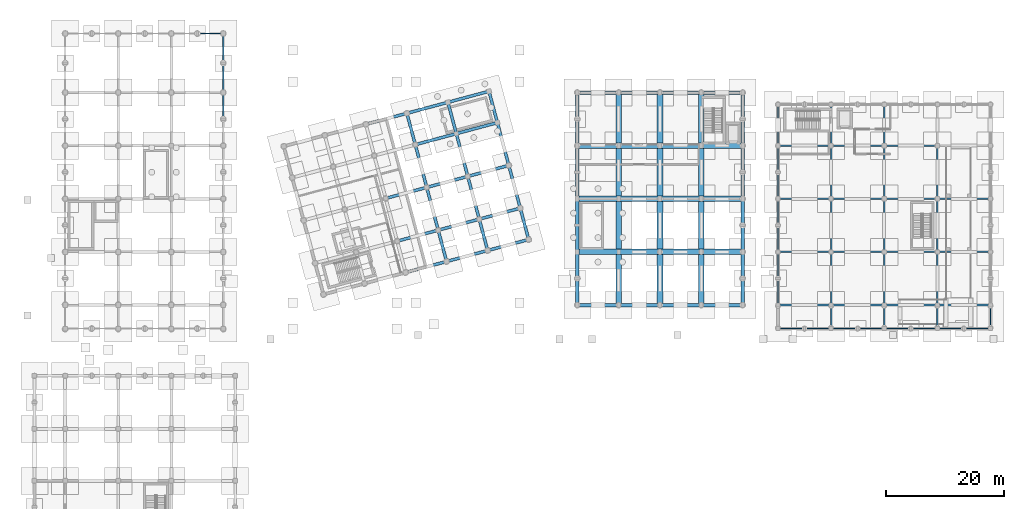
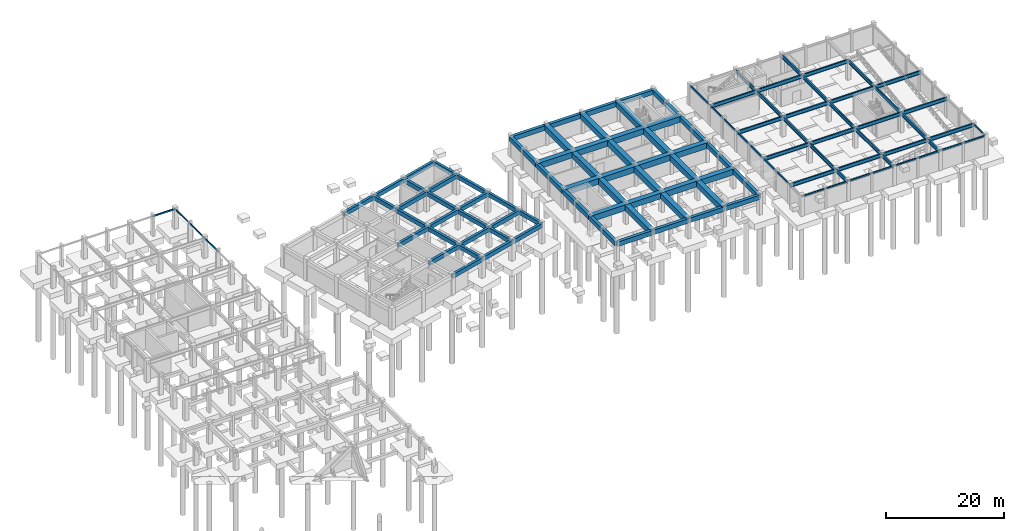
# One storey, part 9 of 20: 123 beams.
"""IFC4 building model written with IfcOpenShell, lengths in metres."""

from ifc_helpers import new_model, si_unit, direction, frame, origin, origin_2d, place, context, subcontext, project, spatial, rectangle, hollow_rectangle, i_section, extrude, material, material_profile, profile_set, type_object, element, save


model = new_model("IFC4")

# Units and contexts
model_context = context("Model", 3, precision=1e-05, world=origin(), true_north=direction((0.0, 1.0)))
body_context = subcontext(model_context, "Body", "Model", "MODEL_VIEW")
ifc_project = project(units=[si_unit("LENGTHUNIT", "METRE"), si_unit("AREAUNIT", "SQUARE_METRE"), si_unit("VOLUMEUNIT", "CUBIC_METRE"), si_unit("PLANEANGLEUNIT", "RADIAN"), si_unit("MASSUNIT", "GRAM", prefix="KILO")], contexts=[model_context])

# Site, building, storey
site_placement = place(None, origin())
site = spatial("IfcSite", under=ifc_project, at=site_placement, CompositionType="ELEMENT")
building_placement = place(site_placement, origin())
building = spatial("IfcBuilding", under=site, at=building_placement, Name="Ventoquebrada Cableway Terminal", CompositionType="ELEMENT")
storey_placement = place(building_placement, frame((0.0, 0.0, -4.5)))
storey = spatial("IfcBuildingStorey", under=building, at=storey_placement, Name="B1", CompositionType="ELEMENT", Elevation=-4.5)

# Beams
ifc_material_1 = material(Name="Concrete C40/50", Category="concrete")
ifc_material_profile_1 = material_profile(ifc_material_1, rectangle(XDim=0.5, YDim=0.85009765625, at=origin_2d()), Name="RC-BM-500X850")
ifc_profile_set_1 = profile_set([ifc_material_profile_1], Name="Concrete C40/50")
beam_type_1 = type_object("IfcBeamType", Name="BM-RC04", PredefinedType="BEAM", material=ifc_profile_set_1)
beam_1_placement = place(storey_placement, frame((72.842041015625, 75.375, 3.72509765625), z_axis=(-0.258941703614, 0.965892951693, 0.0), x_axis=(-0.965892951693, -0.258941703614, 0.0)))
element("IfcBeam", 1, at=beam_1_placement, inside=storey, type_object=beam_type_1, Name="Splayed station girder FBM-0917", PredefinedType="BEAM", context=body_context, shape_type="SweptSolid", body=[
    extrude(rectangle(XDim=0.5, YDim=0.85009765625, at=origin_2d()), origin(), (0.0, 0.0, 1.0), 5.49951171875),
])
beam_2_placement = place(storey_placement, frame((71.41796875, 80.68701171875, 3.72509765625), z_axis=(-0.258776761059, 0.965937155273, 0.0), x_axis=(-0.965937155273, -0.258776761059, 0.0)))
element("IfcBeam", 2, at=beam_2_placement, inside=storey, type_object=beam_type_1, Name="Splayed station girder FBM-0918", PredefinedType="BEAM", context=body_context, shape_type="SweptSolid", body=[
    extrude(rectangle(XDim=0.5, YDim=0.85009765625, at=origin_2d()), origin(), (0.0, 0.0, 1.0), 7.500244140625),
])
beam_3_placement = place(storey_placement, frame((69.47705078125, 87.931884765625, 3.72509765625), z_axis=(-0.258831545324, 0.965922476778, 0.0), x_axis=(-0.965922476778, -0.258831545324, 0.0)))
element("IfcBeam", 3, at=beam_3_placement, inside=storey, type_object=beam_type_1, Name="Splayed station girder FBM-0919", PredefinedType="BEAM", context=body_context, shape_type="SweptSolid", body=[
    extrude(rectangle(XDim=0.5, YDim=0.85009765625, at=origin_2d()), origin(), (0.0, 0.0, 1.0), 7.499755859375),
])
beam_4_placement = place(storey_placement, frame((67.535888671875, 95.176025390625, 3.72509765625), z_axis=(-0.258690231517, 0.96596033258, 0.0), x_axis=(-0.96596033258, -0.258690231517, 0.0)))
element("IfcBeam", 4, at=beam_4_placement, inside=storey, type_object=beam_type_1, Name="Splayed station girder FBM-0920", PredefinedType="BEAM", context=body_context, shape_type="SweptSolid", body=[
    extrude(rectangle(XDim=0.5, YDim=0.85009765625, at=origin_2d()), origin(), (0.0, 0.0, 1.0), 5.500244140625),
])
beam_5_placement = place(storey_placement, frame((79.797119140625, 77.238037109375, 3.72509765625), z_axis=(-0.258897298886, 0.965904854853, 0.0), x_axis=(-0.965904854853, -0.258897298886, 0.0)))
element("IfcBeam", 5, at=beam_5_placement, inside=storey, type_object=beam_type_1, Name="Splayed station girder FBM-0921", PredefinedType="BEAM", context=body_context, shape_type="SweptSolid", body=[
    extrude(rectangle(XDim=0.5, YDim=0.85009765625, at=origin_2d()), origin(), (0.0, 0.0, 1.0), 5.50048828125),
])
beam_6_placement = place(storey_placement, frame((78.373046875, 82.551025390625, 3.72509765625), z_axis=(-0.258839684269, 0.965920295805, 0.0), x_axis=(-0.965920295805, -0.258839684269, 0.0)))
element("IfcBeam", 6, at=beam_6_placement, inside=storey, type_object=beam_type_1, Name="Splayed station girder FBM-0922", PredefinedType="BEAM", context=body_context, shape_type="SweptSolid", body=[
    extrude(rectangle(XDim=0.5, YDim=0.85009765625, at=origin_2d()), origin(), (0.0, 0.0, 1.0), 7.49951171875),
])
beam_7_placement = place(storey_placement, frame((76.431884765625, 89.794921875, 3.72509765625), z_axis=(-0.258768624905, 0.96593933493, 0.0), x_axis=(-0.96593933493, -0.258768624905, 0.0)))
element("IfcBeam", 7, at=beam_7_placement, inside=storey, type_object=beam_type_1, Name="Splayed station girder FBM-0923", PredefinedType="BEAM", context=body_context, shape_type="SweptSolid", body=[
    extrude(rectangle(XDim=0.5, YDim=0.85009765625, at=origin_2d()), origin(), (0.0, 0.0, 1.0), 7.50048828125),
])
beam_8_placement = place(storey_placement, frame((74.490966796875, 97.0400390625, 3.72509765625), z_axis=(-0.258941703614, 0.965892951693, 0.0), x_axis=(-0.965892951693, -0.258941703614, 0.0)))
element("IfcBeam", 8, at=beam_8_placement, inside=storey, type_object=beam_type_1, Name="Splayed station girder FBM-0924", PredefinedType="BEAM", context=body_context, shape_type="SweptSolid", body=[
    extrude(rectangle(XDim=0.5, YDim=0.85009765625, at=origin_2d()), origin(), (0.0, 0.0, 1.0), 5.49951171875),
])
beam_9_placement = place(storey_placement, frame((86.7509765625, 79.10205078125, 3.72509765625), z_axis=(-0.25877602824, 0.965937351596, 0.0), x_axis=(-0.965937351596, -0.25877602824, 0.0)))
element("IfcBeam", 9, at=beam_9_placement, inside=storey, type_object=beam_type_1, Name="Splayed station girder FBM-0925", PredefinedType="BEAM", context=body_context, shape_type="SweptSolid", body=[
    extrude(rectangle(XDim=0.5, YDim=0.85009765625, at=origin_2d()), origin(), (0.0, 0.0, 1.0), 5.499267578125),
])
beam_10_placement = place(storey_placement, frame((85.327880859375, 84.4140625, 3.72509765625), z_axis=(-0.258776761059, 0.965937155273, 0.0), x_axis=(-0.965937155273, -0.258776761059, 0.0)))
element("IfcBeam", 10, at=beam_10_placement, inside=storey, type_object=beam_type_1, Name="Splayed station girder FBM-0926", PredefinedType="BEAM", context=body_context, shape_type="SweptSolid", body=[
    extrude(rectangle(XDim=0.5, YDim=0.85009765625, at=origin_2d()), origin(), (0.0, 0.0, 1.0), 7.500244140625),
])
beam_11_placement = place(storey_placement, frame((83.386962890625, 91.658935546875, 3.72509765625), z_axis=(-0.258801172479, 0.965930615067, 0.0), x_axis=(-0.965930615067, -0.258801172479, 0.0)))
element("IfcBeam", 11, at=beam_11_placement, inside=storey, type_object=beam_type_1, Name="Splayed station girder FBM-0927", PredefinedType="BEAM", context=body_context, shape_type="SweptSolid", body=[
    extrude(rectangle(XDim=0.5, YDim=0.85009765625, at=origin_2d()), origin(), (0.0, 0.0, 1.0), 7.499755859375),
])
beam_12_placement = place(storey_placement, frame((81.446044921875, 98.903076171875, 3.72509765625), z_axis=(-0.258897298886, 0.965904854853, 0.0), x_axis=(-0.965904854853, -0.258897298886, 0.0)))
element("IfcBeam", 12, at=beam_12_placement, inside=storey, type_object=beam_type_1, Name="Splayed station girder FBM-0928", PredefinedType="BEAM", context=body_context, shape_type="SweptSolid", body=[
    extrude(rectangle(XDim=0.5, YDim=0.85009765625, at=origin_2d()), origin(), (0.0, 0.0, 1.0), 5.50048828125),
])
beam_13_placement = place(storey_placement, frame((65.886962890625, 73.510986328125, 3.72509765625), z_axis=(0.96591172503, 0.258871665986, 0.0), x_axis=(-0.258871665986, 0.96591172503, 0.0)))
element("IfcBeam", 13, at=beam_13_placement, inside=storey, type_object=beam_type_1, Name="Splayed station girder FBM-0931", PredefinedType="BEAM", context=body_context, shape_type="SweptSolid", body=[
    extrude(rectangle(XDim=0.5, YDim=0.85009765625, at=origin_2d()), origin(), (0.0, 0.0, 1.0), 7.200439453125),
])
beam_14_placement = place(storey_placement, frame((72.842041015625, 75.375, 3.72509765625), z_axis=(0.965945630245, 0.258745124417, 0.0), x_axis=(-0.258745124417, 0.965945630245, 0.0)))
element("IfcBeam", 14, at=beam_14_placement, inside=storey, type_object=beam_type_1, Name="Splayed station girder FBM-0932", PredefinedType="BEAM", context=body_context, shape_type="SweptSolid", body=[
    extrude(rectangle(XDim=0.5, YDim=0.85009765625, at=origin_2d()), origin(), (0.0, 0.0, 1.0), 7.2001953125),
])
beam_15_placement = place(storey_placement, frame((79.797119140625, 77.238037109375, 3.72509765625), z_axis=(0.965900361292, 0.258914063071, 0.0), x_axis=(-0.258914063071, 0.965900361292, 0.0)))
element("IfcBeam", 15, at=beam_15_placement, inside=storey, type_object=beam_type_1, Name="Splayed station girder FBM-0933", PredefinedType="BEAM", context=body_context, shape_type="SweptSolid", body=[
    extrude(rectangle(XDim=0.5, YDim=0.85009765625, at=origin_2d()), origin(), (0.0, 0.0, 1.0), 7.199462890625),
])
beam_16_placement = place(storey_placement, frame((64.464111328125, 78.823974609375, 3.72509765625), z_axis=(0.965934277216, 0.258787503754, 0.0), x_axis=(-0.258787503754, 0.965934277216, 0.0)))
element("IfcBeam", 16, at=beam_16_placement, inside=storey, type_object=beam_type_1, Name="Splayed station girder FBM-0936", PredefinedType="BEAM", context=body_context, shape_type="SweptSolid", body=[
    extrude(rectangle(XDim=0.5, YDim=0.85009765625, at=origin_2d()), origin(), (0.0, 0.0, 1.0), 7.19921875),
])
beam_17_placement = place(storey_placement, frame((71.41796875, 80.68701171875, 3.72509765625), z_axis=(0.96591172503, 0.258871665986, 0.0), x_axis=(-0.258871665986, 0.96591172503, 0.0)))
element("IfcBeam", 17, at=beam_17_placement, inside=storey, type_object=beam_type_1, Name="Splayed station girder FBM-0937", PredefinedType="BEAM", context=body_context, shape_type="SweptSolid", body=[
    extrude(rectangle(XDim=0.5, YDim=0.85009765625, at=origin_2d()), origin(), (0.0, 0.0, 1.0), 7.200439453125),
])
beam_18_placement = place(storey_placement, frame((78.373046875, 82.551025390625, 3.72509765625), z_axis=(0.965943360086, 0.258753599214, 0.0), x_axis=(-0.258753599214, 0.965943360086, 0.0)))
element("IfcBeam", 18, at=beam_18_placement, inside=storey, type_object=beam_type_1, Name="Splayed station girder FBM-0938", PredefinedType="BEAM", context=body_context, shape_type="SweptSolid", body=[
    extrude(rectangle(XDim=0.5, YDim=0.85009765625, at=origin_2d()), origin(), (0.0, 0.0, 1.0), 7.199951171875),
])
beam_19_placement = place(storey_placement, frame((62.52294921875, 86.068115234375, 3.72509765625), z_axis=(0.965911114263, 0.258873944891, 0.0), x_axis=(-0.258873944891, 0.965911114263, 0.0)))
element("IfcBeam", 19, at=beam_19_placement, inside=storey, type_object=beam_type_1, Name="Splayed station girder FBM-0941", PredefinedType="BEAM", context=body_context, shape_type="SweptSolid", body=[
    extrude(rectangle(XDim=0.5, YDim=0.85009765625, at=origin_2d()), origin(), (0.0, 0.0, 1.0), 7.199462890625),
])
beam_20_placement = place(storey_placement, frame((69.47705078125, 87.931884765625, 3.72509765625), z_axis=(0.965943360086, 0.258753599214, 0.0), x_axis=(-0.258753599214, 0.965943360086, 0.0)))
element("IfcBeam", 20, at=beam_20_placement, inside=storey, type_object=beam_type_1, Name="Splayed station girder FBM-0942", PredefinedType="BEAM", context=body_context, shape_type="SweptSolid", body=[
    extrude(rectangle(XDim=0.5, YDim=0.85009765625, at=origin_2d()), origin(), (0.0, 0.0, 1.0), 7.199951171875),
])
for number, where, z_axis, x_axis, name in (
    (21, (76.431884765625, 89.794921875, 3.72509765625), (0.96591172503, 0.258871665986, 0.0), (-0.258871665986, 0.96591172503, 0.0), "Splayed station girder FBM-0943"),
    (22, (67.535888671875, 95.176025390625, 3.72509765625), (0.96591172503, 0.258871665986, 0.0), (-0.258871665986, 0.96591172503, 0.0), "Splayed station girder FBM-0947"),
):
    element("IfcBeam", number, at=place(storey_placement, frame(where, z_axis=z_axis, x_axis=x_axis)), inside=storey, type_object=beam_type_1, Name=name, PredefinedType="BEAM", context=body_context, shape_type="SweptSolid", body=[
        extrude(rectangle(XDim=0.5, YDim=0.85009765625, at=origin_2d()), origin(), (0.0, 0.0, 1.0), 7.200439453125),
    ])
beam_21_placement = place(storey_placement, frame((74.490966796875, 97.0400390625, 3.72509765625), z_axis=(0.965945630245, 0.258745124417, 0.0), x_axis=(-0.258745124417, 0.965945630245, 0.0)))
element("IfcBeam", 23, at=beam_21_placement, inside=storey, type_object=beam_type_1, Name="Splayed station girder FBM-0948", PredefinedType="BEAM", context=body_context, shape_type="SweptSolid", body=[
    extrude(rectangle(XDim=0.5, YDim=0.85009765625, at=origin_2d()), origin(), (0.0, 0.0, 1.0), 7.2001953125),
])
beam_22_placement = place(storey_placement, frame((59.157958984375, 98.625, 3.72509765625), z_axis=(0.96591172503, 0.258871665986, 0.0), x_axis=(-0.258871665986, 0.96591172503, 0.0)))
element("IfcBeam", 24, at=beam_22_placement, inside=storey, type_object=beam_type_1, Name="Splayed station girder FBM-0951", PredefinedType="BEAM", context=body_context, shape_type="SweptSolid", body=[
    extrude(rectangle(XDim=0.5, YDim=0.85009765625, at=origin_2d()), origin(), (0.0, 0.0, 1.0), 7.200439453125),
])
beam_23_placement = place(storey_placement, frame((66.113037109375, 100.489013671875, 3.72509765625), z_axis=(0.965934277216, 0.258787503754, 0.0), x_axis=(-0.258787503754, 0.965934277216, 0.0)))
element("IfcBeam", 25, at=beam_23_placement, inside=storey, type_object=beam_type_1, Name="Splayed station girder FBM-0952", PredefinedType="BEAM", context=body_context, shape_type="SweptSolid", body=[
    extrude(rectangle(XDim=0.5, YDim=0.85009765625, at=origin_2d()), origin(), (0.0, 0.0, 1.0), 7.19921875),
])
beam_24_placement = place(storey_placement, frame((73.06689453125, 102.35205078125, 3.72509765625), z_axis=(0.96591172503, 0.258871665986, 0.0), x_axis=(-0.258871665986, 0.96591172503, 0.0)))
element("IfcBeam", 26, at=beam_24_placement, inside=storey, type_object=beam_type_1, Name="Splayed station girder FBM-0953", PredefinedType="BEAM", context=body_context, shape_type="SweptSolid", body=[
    extrude(rectangle(XDim=0.5, YDim=0.85009765625, at=origin_2d()), origin(), (0.0, 0.0, 1.0), 7.200439453125),
])
ifc_material_profile_2 = material_profile(ifc_material_1, rectangle(XDim=0.60009765625, YDim=0.949951171875, at=origin_2d()), Name="RC-BM-600X950")
ifc_profile_set_2 = profile_set([ifc_material_profile_2], Name="Concrete C40/50")
beam_type_2 = type_object("IfcBeamType", Name="BM-RC05", PredefinedType="BEAM", material=ifc_profile_set_2)
for number, where, z_axis, x_axis, name in (
    (27, (95.0, 68.0, 3.60498046875), (1.0, 0.0, 0.0), (0.0, 1.0, 0.0), "Perimeter spandrel beam FBM-0531"),
    (28, (102.0, 68.0, 3.60498046875), (1.0, 0.0, 0.0), (0.0, 1.0, 0.0), "Perimeter spandrel beam FBM-0532"),
    (29, (109.0, 68.0, 3.60498046875), (1.0, 0.0, 0.0), (0.0, 1.0, 0.0), "Perimeter spandrel beam FBM-0533"),
    (30, (116.0, 68.0, 3.60498046875), (1.0, 0.0, 0.0), (0.0, 1.0, 0.0), "Perimeter spandrel beam FBM-0534"),
    (31, (95.0, 104.0, 3.60498046875), (1.0, 0.0, 0.0), (0.0, 1.0, 0.0), "Perimeter spandrel beam FBM-0547"),
    (32, (102.0, 104.0, 3.60498046875), (1.0, 0.0, 0.0), (0.0, 1.0, 0.0), "Perimeter spandrel beam FBM-0548"),
    (33, (109.0, 104.0, 3.60498046875), (1.0, 0.0, 0.0), (0.0, 1.0, 0.0), "Perimeter spandrel beam FBM-0549"),
    (34, (116.0, 104.0, 3.60498046875), (1.0, 0.0, 0.0), (0.0, 1.0, 0.0), "Perimeter spandrel beam FBM-0550"),
):
    element("IfcBeam", number, at=place(storey_placement, frame(where, z_axis=z_axis, x_axis=x_axis)), inside=storey, type_object=beam_type_2, Name=name, PredefinedType="BEAM", context=body_context, shape_type="SweptSolid", body=[
        extrude(rectangle(XDim=0.60009765625, YDim=0.949951171875, at=origin_2d()), origin(), (0.0, 0.0, 1.0), 7.0),
    ])
for number, where, z_axis, x_axis, name in (
    (35, (95.0, 68.0, 3.60498046875), (0.0, 1.0, 0.0), (-1.0, 0.0, 0.0), "Perimeter spandrel beam FBM-0551"),
    (36, (95.0, 72.5, 3.60498046875), (0.0, 1.0, 0.0), (-1.0, 0.0, 0.0), "Perimeter spandrel beam FBM-0552"),
    (37, (95.0, 77.0, 3.60498046875), (0.0, 1.0, 0.0), (-1.0, 0.0, 0.0), "Perimeter spandrel beam FBM-0553"),
    (38, (95.0, 81.5, 3.60498046875), (0.0, 1.0, 0.0), (-1.0, 0.0, 0.0), "Perimeter spandrel beam FBM-0554"),
    (39, (95.0, 86.0, 3.60498046875), (0.0, 1.0, 0.0), (-1.0, 0.0, 0.0), "Perimeter spandrel beam FBM-0555"),
    (40, (95.0, 90.5, 3.60498046875), (0.0, 1.0, 0.0), (-1.0, 0.0, 0.0), "Perimeter spandrel beam FBM-0556"),
    (41, (95.0, 95.0, 3.60498046875), (0.0, 1.0, 0.0), (-1.0, 0.0, 0.0), "Perimeter spandrel beam FBM-0557"),
    (42, (95.0, 99.5, 3.60498046875), (0.0, 1.0, 0.0), (-1.0, 0.0, 0.0), "Perimeter spandrel beam FBM-0558"),
    (43, (123.0, 68.0, 3.60498046875), (0.0, 1.0, 0.0), (-1.0, 0.0, 0.0), "Perimeter spandrel beam FBM-0571"),
    (44, (123.0, 72.5, 3.60498046875), (0.0, 1.0, 0.0), (-1.0, 0.0, 0.0), "Perimeter spandrel beam FBM-0572"),
    (45, (123.0, 77.0, 3.60498046875), (0.0, 1.0, 0.0), (-1.0, 0.0, 0.0), "Perimeter spandrel beam FBM-0573"),
    (46, (123.0, 81.5, 3.60498046875), (0.0, 1.0, 0.0), (-1.0, 0.0, 0.0), "Perimeter spandrel beam FBM-0574"),
    (47, (123.0, 86.0, 3.60498046875), (0.0, 1.0, 0.0), (-1.0, 0.0, 0.0), "Perimeter spandrel beam FBM-0575"),
    (48, (123.0, 90.5, 3.60498046875), (0.0, 1.0, 0.0), (-1.0, 0.0, 0.0), "Perimeter spandrel beam FBM-0576"),
    (49, (123.0, 95.0, 3.60498046875), (0.0, 1.0, 0.0), (-1.0, 0.0, 0.0), "Perimeter spandrel beam FBM-0577"),
    (50, (123.0, 99.5, 3.60498046875), (0.0, 1.0, 0.0), (-1.0, 0.0, 0.0), "Perimeter spandrel beam FBM-0578"),
):
    element("IfcBeam", number, at=place(storey_placement, frame(where, z_axis=z_axis, x_axis=x_axis)), inside=storey, type_object=beam_type_2, Name=name, PredefinedType="BEAM", context=body_context, shape_type="SweptSolid", body=[
        extrude(rectangle(XDim=0.60009765625, YDim=0.949951171875, at=origin_2d()), origin(), (0.0, 0.0, 1.0), 4.5),
    ])
ifc_material_profile_3 = material_profile(ifc_material_1, rectangle(XDim=0.949951171875, YDim=1.199951171875, at=origin_2d()), Name="RC-BM-950X1200")
ifc_profile_set_3 = profile_set([ifc_material_profile_3], Name="Concrete C40/50")
beam_type_3 = type_object("IfcBeamType", Name="BM-RC06", PredefinedType="BEAM", material=ifc_profile_set_3)
for number, where, z_axis, x_axis, name in (
    (51, (95.0, 77.0, 3.550048828125), (1.0, 0.0, 0.0), (0.0, 1.0, 0.0), "Primary frame girder FBM-0535"),
    (52, (102.0, 77.0, 3.550048828125), (1.0, 0.0, 0.0), (0.0, 1.0, 0.0), "Primary frame girder FBM-0536"),
    (53, (109.0, 77.0, 3.550048828125), (1.0, 0.0, 0.0), (0.0, 1.0, 0.0), "Primary frame girder FBM-0537"),
    (54, (116.0, 77.0, 3.550048828125), (1.0, 0.0, 0.0), (0.0, 1.0, 0.0), "Primary frame girder FBM-0538"),
    (55, (95.0, 86.0, 3.550048828125), (1.0, 0.0, 0.0), (0.0, 1.0, 0.0), "Primary frame girder FBM-0539"),
    (56, (102.0, 86.0, 3.550048828125), (1.0, 0.0, 0.0), (0.0, 1.0, 0.0), "Primary frame girder FBM-0540"),
    (57, (109.0, 86.0, 3.550048828125), (1.0, 0.0, 0.0), (0.0, 1.0, 0.0), "Primary frame girder FBM-0541"),
    (58, (116.0, 86.0, 3.550048828125), (1.0, 0.0, 0.0), (0.0, 1.0, 0.0), "Primary frame girder FBM-0542"),
    (59, (95.0, 95.0, 3.550048828125), (1.0, 0.0, 0.0), (0.0, 1.0, 0.0), "Primary frame girder FBM-0543"),
    (60, (102.0, 95.0, 3.550048828125), (1.0, 0.0, 0.0), (0.0, 1.0, 0.0), "Primary frame girder FBM-0544"),
    (61, (109.0, 95.0, 3.550048828125), (1.0, 0.0, 0.0), (0.0, 1.0, 0.0), "Primary frame girder FBM-0545"),
    (62, (116.0, 95.0, 3.550048828125), (1.0, 0.0, 0.0), (0.0, 1.0, 0.0), "Primary frame girder FBM-0546"),
):
    element("IfcBeam", number, at=place(storey_placement, frame(where, z_axis=z_axis, x_axis=x_axis)), inside=storey, type_object=beam_type_3, Name=name, PredefinedType="BEAM", context=body_context, shape_type="SweptSolid", body=[
        extrude(rectangle(XDim=0.949951171875, YDim=1.199951171875, at=origin_2d()), origin(), (0.0, 0.0, 1.0), 7.0),
    ])
for number, where, z_axis, x_axis, name in (
    (63, (102.0, 68.0, 3.550048828125), (0.0, 1.0, 0.0), (-1.0, 0.0, 0.0), "Primary frame girder FBM-0559"),
    (64, (102.0, 77.0, 3.550048828125), (0.0, 1.0, 0.0), (-1.0, 0.0, 0.0), "Primary frame girder FBM-0560"),
    (65, (102.0, 86.0, 3.550048828125), (0.0, 1.0, 0.0), (-1.0, 0.0, 0.0), "Primary frame girder FBM-0561"),
    (66, (102.0, 95.0, 3.550048828125), (0.0, 1.0, 0.0), (-1.0, 0.0, 0.0), "Primary frame girder FBM-0562"),
    (67, (109.0, 68.0, 3.550048828125), (0.0, 1.0, 0.0), (-1.0, 0.0, 0.0), "Primary frame girder FBM-0563"),
    (68, (109.0, 77.0, 3.550048828125), (0.0, 1.0, 0.0), (-1.0, 0.0, 0.0), "Primary frame girder FBM-0564"),
    (69, (109.0, 86.0, 3.550048828125), (0.0, 1.0, 0.0), (-1.0, 0.0, 0.0), "Primary frame girder FBM-0565"),
    (70, (109.0, 95.0, 3.550048828125), (0.0, 1.0, 0.0), (-1.0, 0.0, 0.0), "Primary frame girder FBM-0566"),
    (71, (116.0, 68.0, 3.550048828125), (0.0, 1.0, 0.0), (-1.0, 0.0, 0.0), "Primary frame girder FBM-0567"),
    (72, (116.0, 77.0, 3.550048828125), (0.0, 1.0, 0.0), (-1.0, 0.0, 0.0), "Primary frame girder FBM-0568"),
    (73, (116.0, 86.0, 3.550048828125), (0.0, 1.0, 0.0), (-1.0, 0.0, 0.0), "Primary frame girder FBM-0569"),
    (74, (116.0, 95.0, 3.550048828125), (0.0, 1.0, 0.0), (-1.0, 0.0, 0.0), "Primary frame girder FBM-0570"),
):
    element("IfcBeam", number, at=place(storey_placement, frame(where, z_axis=z_axis, x_axis=x_axis)), inside=storey, type_object=beam_type_3, Name=name, PredefinedType="BEAM", context=body_context, shape_type="SweptSolid", body=[
        extrude(rectangle(XDim=0.949951171875, YDim=1.199951171875, at=origin_2d()), origin(), (0.0, 0.0, 1.0), 9.0),
    ])
ifc_material_2 = material(Name="Steel ASTM A992 Grade 50", Category="steel")
ifc_material_profile_4 = material_profile(ifc_material_2, i_section(OverallWidth=0.26708984375, OverallDepth=0.761962890625, WebThickness=0.014404296875, FlangeThickness=0.021484375, at=origin_2d()), Name="W30X116")
ifc_profile_set_4 = profile_set([ifc_material_profile_4], Name="Steel ASTM A992 Grade 50")
beam_type_4 = type_object("IfcBeamType", Name="BM-ST05", PredefinedType="BEAM", material=ifc_profile_set_4)
for number, where, z_axis, x_axis, name in (
    (75, (129.0, 68.0, 3.759033203125), (1.0, 0.0, 0.0), (0.0, 1.0, 0.0), "Primary frame girder FBM-0709"),
    (76, (138.0, 68.0, 3.759033203125), (1.0, 0.0, 0.0), (0.0, 1.0, 0.0), "Primary frame girder FBM-0710"),
    (77, (147.0, 68.0, 3.759033203125), (1.0, 0.0, 0.0), (0.0, 1.0, 0.0), "Primary frame girder FBM-0711"),
    (78, (156.0, 68.0, 3.759033203125), (1.0, 0.0, 0.0), (0.0, 1.0, 0.0), "Primary frame girder FBM-0712"),
    (79, (129.0, 77.0, 3.759033203125), (1.0, 0.0, 0.0), (0.0, 1.0, 0.0), "Primary frame girder FBM-0713"),
    (80, (138.0, 77.0, 3.759033203125), (1.0, 0.0, 0.0), (0.0, 1.0, 0.0), "Primary frame girder FBM-0714"),
    (81, (147.0, 77.0, 3.759033203125), (1.0, 0.0, 0.0), (0.0, 1.0, 0.0), "Primary frame girder FBM-0715"),
    (82, (156.0, 77.0, 3.759033203125), (1.0, 0.0, 0.0), (0.0, 1.0, 0.0), "Primary frame girder FBM-0716"),
    (83, (129.0, 86.0, 3.759033203125), (1.0, 0.0, 0.0), (0.0, 1.0, 0.0), "Primary frame girder FBM-0717"),
    (84, (138.0, 86.0, 3.759033203125), (1.0, 0.0, 0.0), (0.0, 1.0, 0.0), "Primary frame girder FBM-0718"),
    (85, (147.0, 86.0, 3.759033203125), (1.0, 0.0, 0.0), (0.0, 1.0, 0.0), "Primary frame girder FBM-0719"),
    (86, (156.0, 86.0, 3.759033203125), (1.0, 0.0, 0.0), (0.0, 1.0, 0.0), "Primary frame girder FBM-0720"),
    (87, (129.0, 95.0, 3.759033203125), (1.0, 0.0, 0.0), (0.0, 1.0, 0.0), "Primary frame girder FBM-0721"),
    (88, (138.0, 95.0, 3.759033203125), (1.0, 0.0, 0.0), (0.0, 1.0, 0.0), "Primary frame girder FBM-0722"),
    (89, (147.0, 95.0, 3.759033203125), (1.0, 0.0, 0.0), (0.0, 1.0, 0.0), "Primary frame girder FBM-0723"),
):
    element("IfcBeam", number, at=place(storey_placement, frame(where, z_axis=z_axis, x_axis=x_axis)), inside=storey, type_object=beam_type_4, Name=name, PredefinedType="BEAM", context=body_context, shape_type="SweptSolid", body=[
        extrude(i_section(OverallWidth=0.26708984375, OverallDepth=0.761962890625, WebThickness=0.014404296875, FlangeThickness=0.021484375, at=origin_2d()), origin(), (0.0, 0.0, 1.0), 9.0),
    ])
beam_25_placement = place(storey_placement, frame((138.0, 64.0, 3.759033203125), z_axis=(0.0, 1.0, 0.0), x_axis=(-1.0, 0.0, 0.0)))
element("IfcBeam", 90, at=beam_25_placement, inside=storey, type_object=beam_type_4, Name="Primary frame girder FBM-0741", PredefinedType="BEAM", context=body_context, shape_type="SweptSolid", body=[
    extrude(i_section(OverallWidth=0.26708984375, OverallDepth=0.761962890625, WebThickness=0.014404296875, FlangeThickness=0.021484375, at=origin_2d()), origin(), (0.0, 0.0, 1.0), 4.0),
])
for number, where, z_axis, x_axis, name in (
    (91, (138.0, 68.0, 3.759033203125), (0.0, 1.0, 0.0), (-1.0, 0.0, 0.0), "Primary frame girder FBM-0742"),
    (92, (138.0, 77.0, 3.759033203125), (0.0, 1.0, 0.0), (-1.0, 0.0, 0.0), "Primary frame girder FBM-0743"),
    (93, (138.0, 86.0, 3.759033203125), (0.0, 1.0, 0.0), (-1.0, 0.0, 0.0), "Primary frame girder FBM-0744"),
):
    element("IfcBeam", number, at=place(storey_placement, frame(where, z_axis=z_axis, x_axis=x_axis)), inside=storey, type_object=beam_type_4, Name=name, PredefinedType="BEAM", context=body_context, shape_type="SweptSolid", body=[
        extrude(i_section(OverallWidth=0.26708984375, OverallDepth=0.761962890625, WebThickness=0.014404296875, FlangeThickness=0.021484375, at=origin_2d()), origin(), (0.0, 0.0, 1.0), 9.0),
    ])
beam_26_placement = place(storey_placement, frame((138.0, 95.0, 3.759033203125), z_axis=(0.0, 1.0, 0.0), x_axis=(-1.0, 0.0, 0.0)))
element("IfcBeam", 94, at=beam_26_placement, inside=storey, type_object=beam_type_4, Name="Primary frame girder FBM-0745", PredefinedType="BEAM", context=body_context, shape_type="SweptSolid", body=[
    extrude(i_section(OverallWidth=0.26708984375, OverallDepth=0.761962890625, WebThickness=0.014404296875, FlangeThickness=0.021484375, at=origin_2d()), origin(), (0.0, 0.0, 1.0), 7.0),
])
beam_27_placement = place(storey_placement, frame((147.0, 64.0, 3.759033203125), z_axis=(0.0, 1.0, 0.0), x_axis=(-1.0, 0.0, 0.0)))
element("IfcBeam", 95, at=beam_27_placement, inside=storey, type_object=beam_type_4, Name="Primary frame girder FBM-0746", PredefinedType="BEAM", context=body_context, shape_type="SweptSolid", body=[
    extrude(i_section(OverallWidth=0.26708984375, OverallDepth=0.761962890625, WebThickness=0.014404296875, FlangeThickness=0.021484375, at=origin_2d()), origin(), (0.0, 0.0, 1.0), 4.0),
])
for number, where, z_axis, x_axis, name in (
    (96, (147.0, 68.0, 3.759033203125), (0.0, 1.0, 0.0), (-1.0, 0.0, 0.0), "Primary frame girder FBM-0747"),
    (97, (147.0, 77.0, 3.759033203125), (0.0, 1.0, 0.0), (-1.0, 0.0, 0.0), "Primary frame girder FBM-0748"),
    (98, (147.0, 86.0, 3.759033203125), (0.0, 1.0, 0.0), (-1.0, 0.0, 0.0), "Primary frame girder FBM-0749"),
):
    element("IfcBeam", number, at=place(storey_placement, frame(where, z_axis=z_axis, x_axis=x_axis)), inside=storey, type_object=beam_type_4, Name=name, PredefinedType="BEAM", context=body_context, shape_type="SweptSolid", body=[
        extrude(i_section(OverallWidth=0.26708984375, OverallDepth=0.761962890625, WebThickness=0.014404296875, FlangeThickness=0.021484375, at=origin_2d()), origin(), (0.0, 0.0, 1.0), 9.0),
    ])
beam_28_placement = place(storey_placement, frame((147.0, 95.0, 3.759033203125), z_axis=(0.0, 1.0, 0.0), x_axis=(-1.0, 0.0, 0.0)))
element("IfcBeam", 99, at=beam_28_placement, inside=storey, type_object=beam_type_4, Name="Primary frame girder FBM-0750", PredefinedType="BEAM", context=body_context, shape_type="SweptSolid", body=[
    extrude(i_section(OverallWidth=0.26708984375, OverallDepth=0.761962890625, WebThickness=0.014404296875, FlangeThickness=0.021484375, at=origin_2d()), origin(), (0.0, 0.0, 1.0), 7.0),
])
beam_29_placement = place(storey_placement, frame((156.0, 64.0, 3.759033203125), z_axis=(0.0, 1.0, 0.0), x_axis=(-1.0, 0.0, 0.0)))
element("IfcBeam", 100, at=beam_29_placement, inside=storey, type_object=beam_type_4, Name="Primary frame girder FBM-0751", PredefinedType="BEAM", context=body_context, shape_type="SweptSolid", body=[
    extrude(i_section(OverallWidth=0.26708984375, OverallDepth=0.761962890625, WebThickness=0.014404296875, FlangeThickness=0.021484375, at=origin_2d()), origin(), (0.0, 0.0, 1.0), 4.0),
])
for number, where, z_axis, x_axis, name in (
    (101, (156.0, 68.0, 3.759033203125), (0.0, 1.0, 0.0), (-1.0, 0.0, 0.0), "Primary frame girder FBM-0752"),
    (102, (156.0, 77.0, 3.759033203125), (0.0, 1.0, 0.0), (-1.0, 0.0, 0.0), "Primary frame girder FBM-0753"),
    (103, (156.0, 86.0, 3.759033203125), (0.0, 1.0, 0.0), (-1.0, 0.0, 0.0), "Primary frame girder FBM-0754"),
):
    element("IfcBeam", number, at=place(storey_placement, frame(where, z_axis=z_axis, x_axis=x_axis)), inside=storey, type_object=beam_type_4, Name=name, PredefinedType="BEAM", context=body_context, shape_type="SweptSolid", body=[
        extrude(i_section(OverallWidth=0.26708984375, OverallDepth=0.761962890625, WebThickness=0.014404296875, FlangeThickness=0.021484375, at=origin_2d()), origin(), (0.0, 0.0, 1.0), 9.0),
    ])
ifc_material_3 = material(Name="Steel ASTM A500 Grade C", Category="steel")
ifc_material_profile_5 = material_profile(ifc_material_3, hollow_rectangle(XDim=0.199951171875, YDim=0.300048828125, WallThickness=0.012451171875, at=origin_2d()), Name="RHS300X200X12.5")
ifc_profile_set_5 = profile_set([ifc_material_profile_5], Name="Steel ASTM A500 Grade C")
beam_type_5 = type_object("IfcBeamType", Name="SP-ST02", PredefinedType="SPANDREL", material=ifc_profile_set_5)
beam_30_placement = place(storey_placement, frame((30.60009765625, 114.0, 3.929931640625), z_axis=(1.0, 0.0, 0.0), x_axis=(0.0, 1.0, 0.0)))
element("IfcBeam", 104, at=beam_30_placement, inside=storey, type_object=beam_type_5, Name="Perimeter spandrel beam FBM-0281", PredefinedType="SPANDREL", context=body_context, shape_type="SweptSolid", body=[
    extrude(hollow_rectangle(XDim=0.199951171875, YDim=0.300048828125, WallThickness=0.012451171875, at=origin_2d()), origin(), (0.0, 0.0, 1.0), 4.39990234375),
])
beam_31_placement = place(storey_placement, frame((35.0, 99.5, 3.929931640625), z_axis=(0.0, 1.0, 0.0), x_axis=(-1.0, 0.0, 0.0)))
element("IfcBeam", 105, at=beam_31_placement, inside=storey, type_object=beam_type_5, Name="Perimeter spandrel beam FBM-0313", PredefinedType="SPANDREL", context=body_context, shape_type="SweptSolid", body=[
    extrude(hollow_rectangle(XDim=0.199951171875, YDim=0.300048828125, WallThickness=0.012451171875, at=origin_2d()), origin(), (0.0, 0.0, 1.0), 4.5),
])
for number, where, z_axis, x_axis, name in (
    (106, (35.0, 104.0, 3.929931640625), (0.0, 1.0, 0.0), (-1.0, 0.0, 0.0), "Perimeter spandrel beam FBM-0314"),
    (107, (35.0, 109.0, 3.929931640625), (0.0, 1.0, 0.0), (-1.0, 0.0, 0.0), "Perimeter spandrel beam FBM-0315"),
):
    element("IfcBeam", number, at=place(storey_placement, frame(where, z_axis=z_axis, x_axis=x_axis)), inside=storey, type_object=beam_type_5, Name=name, PredefinedType="SPANDREL", context=body_context, shape_type="SweptSolid", body=[
        extrude(hollow_rectangle(XDim=0.199951171875, YDim=0.300048828125, WallThickness=0.012451171875, at=origin_2d()), origin(), (0.0, 0.0, 1.0), 5.0),
    ])
for number, where, z_axis, x_axis, name in (
    (108, (129.0, 64.0, 3.929931640625), (1.0, 0.0, 0.0), (0.0, 1.0, 0.0), "Perimeter spandrel beam FBM-0701"),
    (109, (133.5, 64.0, 3.929931640625), (1.0, 0.0, 0.0), (0.0, 1.0, 0.0), "Perimeter spandrel beam FBM-0702"),
    (110, (138.0, 64.0, 3.929931640625), (1.0, 0.0, 0.0), (0.0, 1.0, 0.0), "Perimeter spandrel beam FBM-0703"),
    (111, (142.5, 64.0, 3.929931640625), (1.0, 0.0, 0.0), (0.0, 1.0, 0.0), "Perimeter spandrel beam FBM-0704"),
    (112, (147.0, 64.0, 3.929931640625), (1.0, 0.0, 0.0), (0.0, 1.0, 0.0), "Perimeter spandrel beam FBM-0705"),
    (113, (151.5, 64.0, 3.929931640625), (1.0, 0.0, 0.0), (0.0, 1.0, 0.0), "Perimeter spandrel beam FBM-0706"),
    (114, (156.0, 64.0, 3.929931640625), (1.0, 0.0, 0.0), (0.0, 1.0, 0.0), "Perimeter spandrel beam FBM-0707"),
    (115, (160.5, 64.0, 3.929931640625), (1.0, 0.0, 0.0), (0.0, 1.0, 0.0), "Perimeter spandrel beam FBM-0708"),
    (116, (129.0, 68.0, 3.929931640625), (0.0, 1.0, 0.0), (-1.0, 0.0, 0.0), "Perimeter spandrel beam FBM-0734"),
    (117, (129.0, 72.5, 3.929931640625), (0.0, 1.0, 0.0), (-1.0, 0.0, 0.0), "Perimeter spandrel beam FBM-0735"),
    (118, (129.0, 77.0, 3.929931640625), (0.0, 1.0, 0.0), (-1.0, 0.0, 0.0), "Perimeter spandrel beam FBM-0736"),
    (119, (129.0, 81.5, 3.929931640625), (0.0, 1.0, 0.0), (-1.0, 0.0, 0.0), "Perimeter spandrel beam FBM-0737"),
    (120, (129.0, 86.0, 3.929931640625), (0.0, 1.0, 0.0), (-1.0, 0.0, 0.0), "Perimeter spandrel beam FBM-0738"),
    (121, (129.0, 90.5, 3.929931640625), (0.0, 1.0, 0.0), (-1.0, 0.0, 0.0), "Perimeter spandrel beam FBM-0739"),
):
    element("IfcBeam", number, at=place(storey_placement, frame(where, z_axis=z_axis, x_axis=x_axis)), inside=storey, type_object=beam_type_5, Name=name, PredefinedType="SPANDREL", context=body_context, shape_type="SweptSolid", body=[
        extrude(hollow_rectangle(XDim=0.199951171875, YDim=0.300048828125, WallThickness=0.012451171875, at=origin_2d()), origin(), (0.0, 0.0, 1.0), 4.5),
    ])
beam_32_placement = place(storey_placement, frame((129.0, 95.0, 3.929931640625), z_axis=(0.0, 1.0, 0.0), x_axis=(-1.0, 0.0, 0.0)))
element("IfcBeam", 122, at=beam_32_placement, inside=storey, type_object=beam_type_5, Name="Perimeter spandrel beam FBM-0740", PredefinedType="SPANDREL", context=body_context, shape_type="SweptSolid", body=[
    extrude(hollow_rectangle(XDim=0.199951171875, YDim=0.300048828125, WallThickness=0.012451171875, at=origin_2d()), origin(), (0.0, 0.0, 1.0), 7.0),
])
beam_33_placement = place(storey_placement, frame((165.0, 64.0, 3.929931640625), z_axis=(0.0, 1.0, 0.0), x_axis=(-1.0, 0.0, 0.0)))
element("IfcBeam", 123, at=beam_33_placement, inside=storey, type_object=beam_type_5, Name="Perimeter spandrel beam FBM-0756", PredefinedType="SPANDREL", context=body_context, shape_type="SweptSolid", body=[
    extrude(hollow_rectangle(XDim=0.199951171875, YDim=0.300048828125, WallThickness=0.012451171875, at=origin_2d()), origin(), (0.0, 0.0, 1.0), 4.0),
])

save(model, "model.ifc")
